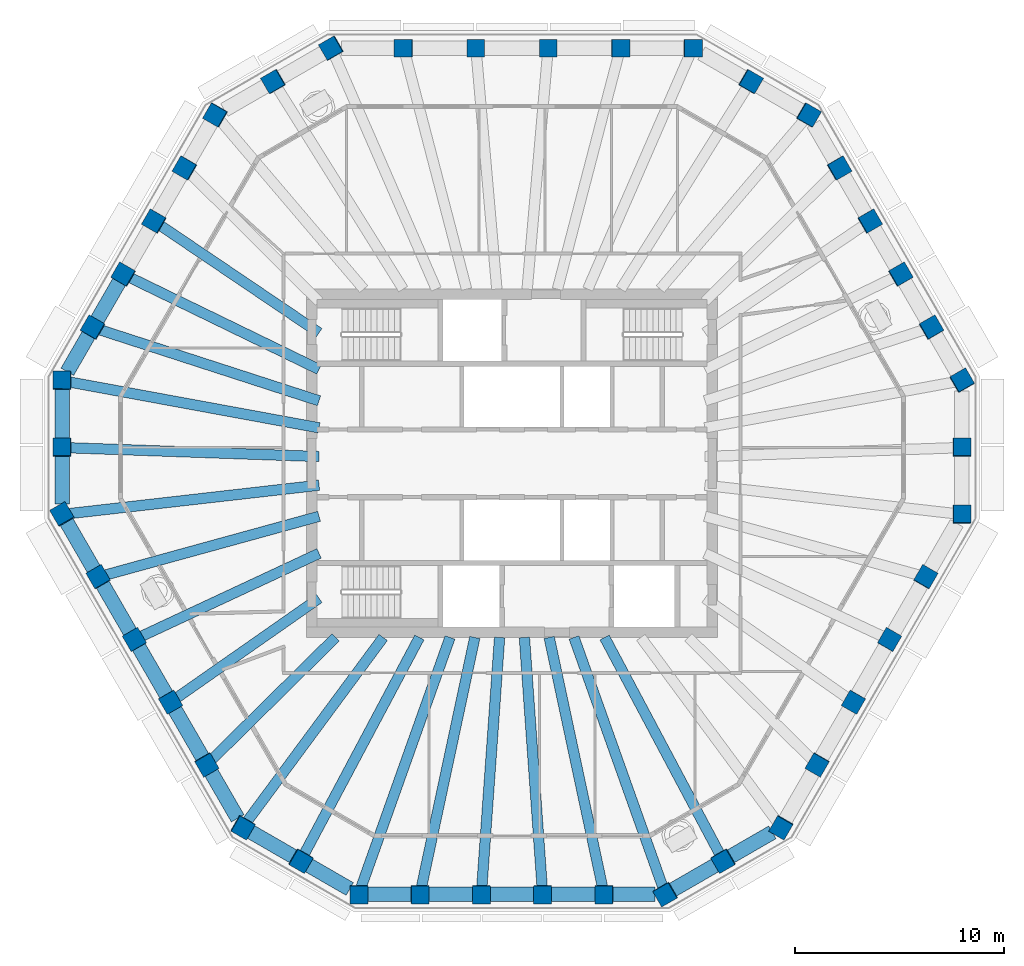
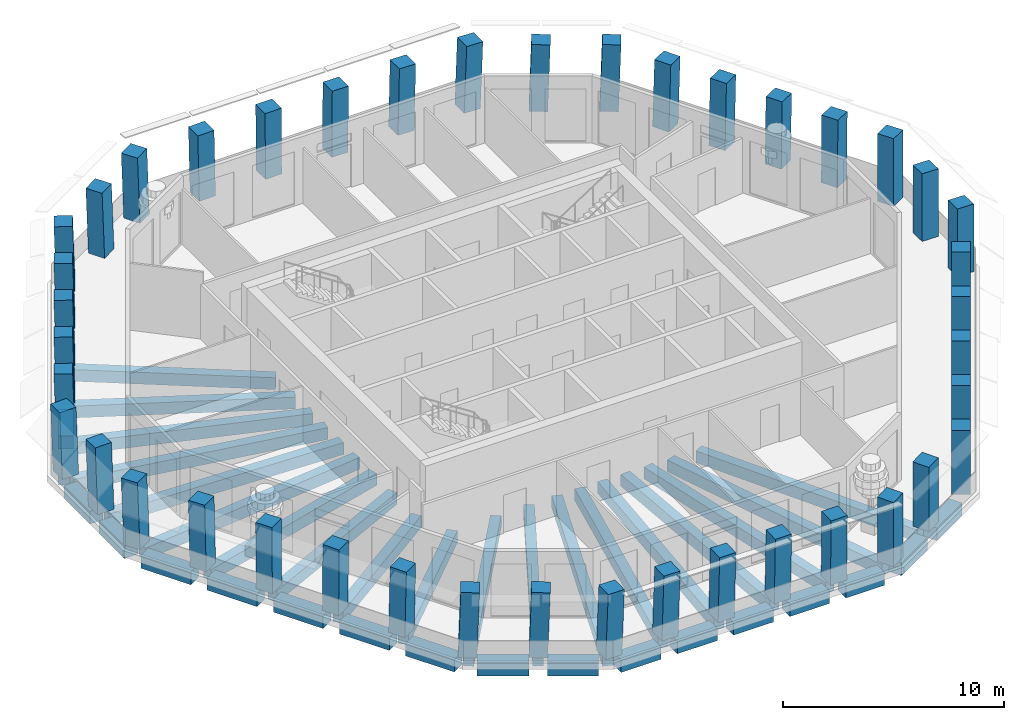
# One storey, part 1 of 11: 42 columns, 37 beams.
"""IFC4 building model written with IfcOpenShell, lengths in metres."""

from ifc_helpers import new_model, si_unit, direction, frame, origin, origin_2d, place, context, subcontext, project, spatial, rectangle, extrude, material, material_profile, profile_set, type_object, element, save


model = new_model("IFC4")

# Units and contexts
model_context = context("Model", 3, precision=1e-05, world=origin(), true_north=direction((0.0, 1.0)))
body_context = subcontext(model_context, "Body", "Model", "MODEL_VIEW")
ifc_project = project(units=[si_unit("LENGTHUNIT", "METRE"), si_unit("AREAUNIT", "SQUARE_METRE"), si_unit("VOLUMEUNIT", "CUBIC_METRE"), si_unit("PLANEANGLEUNIT", "RADIAN"), si_unit("MASSUNIT", "GRAM", prefix="KILO")], contexts=[model_context])

# Site, building, storey
site_placement = place(None, origin())
site = spatial("IfcSite", under=ifc_project, at=site_placement, CompositionType="ELEMENT")
building_placement = place(site_placement, origin())
building = spatial("IfcBuilding", under=site, at=building_placement, Name="Frailejon Research Tower", CompositionType="ELEMENT")
storey_placement = place(building_placement, frame((0.0, 0.0, 332.60009765625)))
storey = spatial("IfcBuildingStorey", under=building, at=storey_placement, Name="L74", CompositionType="ELEMENT", Elevation=332.60009765625)

# Columns
ifc_material_1 = material(Name="Concrete C50/60", Category="concrete")
ifc_material_profile_1 = material_profile(ifc_material_1, rectangle(XDim=0.85009765625, YDim=0.85009765625, at=origin_2d()), Name="Column 850")
ifc_profile_set_1 = profile_set([ifc_material_profile_1], Name="Concrete C50/60")
column_type = type_object("IfcColumnType", Name="Column 850", PredefinedType="COLUMN", material=ifc_profile_set_1)
for number, where, z_axis, x_axis, name in (
    (1, (21.56298828125, -2.451904296875, 0.0), (0.018115165867, 0.031417446337, 0.999342176049), (-0.000700571395, 0.999506341588, -0.031409908073), "Column C01"),
    (2, (21.56298828125, 0.754150390625, 0.0), (0.018115165867, 0.031417446337, 0.999342176049), (-0.000700571395, 0.999506341588, -0.031409908073), "Column C02"),
    (3, (21.56298828125, 3.960205078125, 0.0), (0.018115165867, 0.031417446337, 0.999342176049), (-0.500524543364, 0.865532325635, -0.018137661659), "Column C03"),
):
    element("IfcColumn", number, at=place(storey_placement, frame(where, z_axis=z_axis, x_axis=x_axis)), inside=storey, type_object=column_type, Name=name, PredefinedType="COLUMN", context=body_context, shape_type="SweptSolid", body=[
        extrude(rectangle(XDim=0.85009765625, YDim=0.85009765625, at=origin_2d()), origin(), (0.0, 0.0, 1.0), 3.65234375),
    ])
column_1_placement = place(storey_placement, frame((20.092529296875, 6.507080078125, 0.0), z_axis=(0.021793949015, 0.025136579231, 0.999446434868), x_axis=(-0.499665408411, 0.866150057728, -0.010888394553)))
element("IfcColumn", 4, at=column_1_placement, inside=storey, type_object=column_type, Name="Column C04", PredefinedType="COLUMN", context=body_context, shape_type="SweptSolid", body=[
    extrude(rectangle(XDim=0.85009765625, YDim=0.85009765625, at=origin_2d()), origin(), (0.0, 0.0, 1.0), 3.65185546875),
])
for number, where, z_axis, x_axis, name in (
    (5, (18.622314453125, 9.0537109375, 0.0), (0.025405336763, 0.018853434124, 0.999499433159), (-0.500083894321, 0.865969380989, -0.003623510742), "Column C05"),
    (6, (17.15185546875, 11.6005859375, 0.0), (0.029015583354, 0.012568962375, 0.99949993352), (-0.499848966802, 0.86610502362, 0.003619177736), "Column C06"),
):
    element("IfcColumn", number, at=place(storey_placement, frame(where, z_axis=z_axis, x_axis=x_axis)), inside=storey, type_object=column_type, Name=name, PredefinedType="COLUMN", context=body_context, shape_type="SweptSolid", body=[
        extrude(rectangle(XDim=0.85009765625, YDim=0.85009765625, at=origin_2d()), origin(), (0.0, 0.0, 1.0), 3.651611328125),
    ])
column_2_placement = place(storey_placement, frame((15.681640625, 14.147216796875, 0.0), z_axis=(0.032624119908, 0.006284154245, 0.999447935715), x_axis=(-0.500036299202, 0.865936128062, 0.010877573109)))
element("IfcColumn", 7, at=column_2_placement, inside=storey, type_object=column_type, Name="Column C07", PredefinedType="COLUMN", context=body_context, shape_type="SweptSolid", body=[
    extrude(rectangle(XDim=0.85009765625, YDim=0.85009765625, at=origin_2d()), origin(), (0.0, 0.0, 1.0), 3.65185546875),
])
for number, where, z_axis, x_axis, name in (
    (8, (14.211181640625, 16.69384765625, 0.0), (0.036297136169, 0.0, 0.99934104184), (-0.865312543657, 0.500246354177, 0.031429077673), "Column C08"),
    (9, (11.434814453125, 18.297119140625, 0.0), (0.036230378439, 0.0, 0.99934346432), (-0.865314641241, 0.500246354177, 0.031371273281), "Column C09"),
    (10, (8.658203125, 19.89990234375, 0.0), (0.036230378439, 0.0, 0.99934346432), (-0.99934346432, 0.0, 0.036230378439), "Column C10"),
):
    element("IfcColumn", number, at=place(storey_placement, frame(where, z_axis=z_axis, x_axis=x_axis)), inside=storey, type_object=column_type, Name=name, PredefinedType="COLUMN", context=body_context, shape_type="SweptSolid", body=[
        extrude(rectangle(XDim=0.85009765625, YDim=0.85009765625, at=origin_2d()), origin(), (0.0, 0.0, 1.0), 3.65234375),
    ])
column_3_placement = place(storey_placement, frame((5.19482421875, 19.89990234375, 0.0), z_axis=(0.021800837506, 0.0, 0.999762333499), x_axis=(-0.999762333499, 0.0, 0.021800837506)))
element("IfcColumn", 11, at=column_3_placement, inside=storey, type_object=column_type, Name="Column C11", PredefinedType="COLUMN", context=body_context, shape_type="SweptSolid", body=[
    extrude(rectangle(XDim=0.85009765625, YDim=0.85009765625, at=origin_2d()), origin(), (0.0, 0.0, 1.0), 3.65087890625),
])
for number, where, z_axis, x_axis, name in (
    (12, (1.731689453125, 19.89990234375, 0.0), (0.00729077612, 0.0, 0.999973421939), (-0.999973421939, 0.0, 0.00729077612), "Column C12"),
    (13, (-1.731689453125, 19.89990234375, 0.0), (-0.00729077612, 0.0, 0.999973421939), (-0.999973421939, 0.0, -0.00729077612), "Column C13"),
):
    element("IfcColumn", number, at=place(storey_placement, frame(where, z_axis=z_axis, x_axis=x_axis)), inside=storey, type_object=column_type, Name=name, PredefinedType="COLUMN", context=body_context, shape_type="SweptSolid", body=[
        extrude(rectangle(XDim=0.85009765625, YDim=0.85009765625, at=origin_2d()), origin(), (0.0, 0.0, 1.0), 3.64990234375),
    ])
column_4_placement = place(storey_placement, frame((-5.19482421875, 19.89990234375, 0.0), z_axis=(-0.021800837506, 0.0, 0.999762333499), x_axis=(-0.999762333499, 0.0, -0.021800837506)))
element("IfcColumn", 14, at=column_4_placement, inside=storey, type_object=column_type, Name="Column C14", PredefinedType="COLUMN", context=body_context, shape_type="SweptSolid", body=[
    extrude(rectangle(XDim=0.85009765625, YDim=0.85009765625, at=origin_2d()), origin(), (0.0, 0.0, 1.0), 3.65087890625),
])
for number, where, z_axis, x_axis, name in (
    (15, (-8.658203125, 19.89990234375, 0.0), (-0.036230378439, 0.0, 0.99934346432), (-0.865314641241, -0.500246354177, -0.031371273281), "Column C15"),
    (16, (-11.434814453125, 18.297119140625, 0.0), (-0.036230378439, 0.0, 0.99934346432), (-0.865314641241, -0.500246354177, -0.031371273281), "Column C16"),
    (17, (-14.211181640625, 16.69384765625, 0.0), (-0.036297136169, 0.0, 0.99934104184), (-0.49942428864, -0.866167613071, -0.018139624664), "Column C17"),
):
    element("IfcColumn", number, at=place(storey_placement, frame(where, z_axis=z_axis, x_axis=x_axis)), inside=storey, type_object=column_type, Name=name, PredefinedType="COLUMN", context=body_context, shape_type="SweptSolid", body=[
        extrude(rectangle(XDim=0.85009765625, YDim=0.85009765625, at=origin_2d()), origin(), (0.0, 0.0, 1.0), 3.65234375),
    ])
column_5_placement = place(storey_placement, frame((-15.681640625, 14.147216796875, 0.0), z_axis=(-0.032624119908, 0.006284154245, 0.999447935715), x_axis=(-0.500036299202, -0.865936128062, -0.010877573109)))
element("IfcColumn", 18, at=column_5_placement, inside=storey, type_object=column_type, Name="Column C18", PredefinedType="COLUMN", context=body_context, shape_type="SweptSolid", body=[
    extrude(rectangle(XDim=0.85009765625, YDim=0.85009765625, at=origin_2d()), origin(), (0.0, 0.0, 1.0), 3.65185546875),
])
for number, where, z_axis, x_axis, name in (
    (19, (-17.15185546875, 11.6005859375, 0.0), (-0.029015583354, 0.012568962375, 0.99949993352), (-0.499848966802, -0.86610502362, -0.003619177736), "Column C19"),
    (20, (-18.622314453125, 9.0537109375, 0.0), (-0.025405336763, 0.018853434124, 0.999499433159), (-0.500083894321, -0.865969380989, 0.003623510742), "Column C20"),
):
    element("IfcColumn", number, at=place(storey_placement, frame(where, z_axis=z_axis, x_axis=x_axis)), inside=storey, type_object=column_type, Name=name, PredefinedType="COLUMN", context=body_context, shape_type="SweptSolid", body=[
        extrude(rectangle(XDim=0.85009765625, YDim=0.85009765625, at=origin_2d()), origin(), (0.0, 0.0, 1.0), 3.651611328125),
    ])
column_6_placement = place(storey_placement, frame((-20.092529296875, 6.507080078125, 0.0), z_axis=(-0.021793949015, 0.025136579231, 0.999446434868), x_axis=(-0.499665408411, -0.866150057728, 0.010888394553)))
element("IfcColumn", 21, at=column_6_placement, inside=storey, type_object=column_type, Name="Column C21", PredefinedType="COLUMN", context=body_context, shape_type="SweptSolid", body=[
    extrude(rectangle(XDim=0.85009765625, YDim=0.85009765625, at=origin_2d()), origin(), (0.0, 0.0, 1.0), 3.65185546875),
])
for number, where, z_axis, x_axis, name in (
    (22, (-21.56298828125, 3.960205078125, 0.0), (-0.018115165867, 0.031417446337, 0.999342176049), (-0.000700571395, -0.999506341588, 0.031409908073), "Column C22"),
    (23, (-21.56298828125, 0.754150390625, 0.0), (-0.018115165867, 0.031417446337, 0.999342176049), (-0.000700571395, -0.999506341588, 0.031409908073), "Column C23"),
    (24, (-21.56298828125, -2.451904296875, 0.0), (-0.018115165867, 0.031417446337, 0.999342176049), (0.499559043097, -0.865520391176, 0.036265891942), "Column C24"),
):
    element("IfcColumn", number, at=place(storey_placement, frame(where, z_axis=z_axis, x_axis=x_axis)), inside=storey, type_object=column_type, Name=name, PredefinedType="COLUMN", context=body_context, shape_type="SweptSolid", body=[
        extrude(rectangle(XDim=0.85009765625, YDim=0.85009765625, at=origin_2d()), origin(), (0.0, 0.0, 1.0), 3.65234375),
    ])
column_7_placement = place(storey_placement, frame((-19.831298828125, -5.451171875, 0.0), z_axis=(-0.010900423214, 0.018858400897, 0.999762742599), x_axis=(0.499728924135, -0.865907930491, 0.021782063614)))
element("IfcColumn", 25, at=column_7_placement, inside=storey, type_object=column_type, Name="Column C25", PredefinedType="COLUMN", context=body_context, shape_type="SweptSolid", body=[
    extrude(rectangle(XDim=0.85009765625, YDim=0.85009765625, at=origin_2d()), origin(), (0.0, 0.0, 1.0), 3.65087890625),
])
for number, where, z_axis, x_axis, name in (
    (26, (-18.099609375, -8.450439453125, 0.0), (-0.003611945175, 0.00628746012, 0.999973710503), (0.499382072477, -0.866351526517, 0.007251081967), "Column C26"),
    (27, (-16.3681640625, -11.44970703125, 0.0), (0.003611945175, -0.00628746012, 0.999973710503), (0.499382072477, -0.866351526517, -0.007251081967), "Column C27"),
):
    element("IfcColumn", number, at=place(storey_placement, frame(where, z_axis=z_axis, x_axis=x_axis)), inside=storey, type_object=column_type, Name=name, PredefinedType="COLUMN", context=body_context, shape_type="SweptSolid", body=[
        extrude(rectangle(XDim=0.85009765625, YDim=0.85009765625, at=origin_2d()), origin(), (0.0, 0.0, 1.0), 3.64990234375),
    ])
column_8_placement = place(storey_placement, frame((-14.636474609375, -14.448974609375, 0.0), z_axis=(0.010900436936, -0.018791550792, 0.999764001199), x_axis=(0.501062877188, -0.865138168972, -0.021724219028)))
element("IfcColumn", 28, at=column_8_placement, inside=storey, type_object=column_type, Name="Column C28", PredefinedType="COLUMN", context=body_context, shape_type="SweptSolid", body=[
    extrude(rectangle(XDim=0.85009765625, YDim=0.85009765625, at=origin_2d()), origin(), (0.0, 0.0, 1.0), 3.65087890625),
])
for number, where, z_axis, x_axis, name in (
    (29, (-12.90478515625, -17.4482421875, 0.0), (0.018115165867, -0.031417446337, 0.999342176049), (0.865818316477, -0.499372659284, -0.031394107935), "Column C29"),
    (30, (-10.12841796875, -19.05126953125, 0.0), (0.01818198944, -0.031417408223, 0.999340963696), (0.866315547306, -0.498507056319, -0.031433855875), "Column C30"),
    (31, (-7.351806640625, -20.654296875, 0.0), (0.018115203871, -0.031350666477, 0.999344272561), (0.999835887043, 0.000763832147, -0.018100153051), "Column C31"),
):
    element("IfcColumn", number, at=place(storey_placement, frame(where, z_axis=z_axis, x_axis=x_axis)), inside=storey, type_object=column_type, Name=name, PredefinedType="COLUMN", context=body_context, shape_type="SweptSolid", body=[
        extrude(rectangle(XDim=0.85009765625, YDim=0.85009765625, at=origin_2d()), origin(), (0.0, 0.0, 1.0), 3.65234375),
    ])
column_9_placement = place(storey_placement, frame((-4.4111328125, -20.654296875, 0.0), z_axis=(0.010897001829, -0.031353950048, 0.999448940751), x_axis=(0.999940436127, 0.000957493921, -0.010872322839)))
element("IfcColumn", 32, at=column_9_placement, inside=storey, type_object=column_type, Name="Column C32", PredefinedType="COLUMN", context=body_context, shape_type="SweptSolid", body=[
    extrude(rectangle(XDim=0.85009765625, YDim=0.85009765625, at=origin_2d()), origin(), (0.0, 0.0, 1.0), 3.65185546875),
])
for number, where, z_axis, x_axis, name in (
    (33, (-1.470458984375, -20.654296875, 0.0), (0.003677095924, -0.031355599788, 0.999501528427), (0.999992627875, 0.001220728193, -0.00364060689), "Column C33"),
    (34, (1.470458984375, -20.654296875, 0.0), (-0.003677095924, -0.031355599788, 0.999501528427), (0.999992627875, -0.001220728193, 0.00364060689), "Column C34"),
):
    element("IfcColumn", number, at=place(storey_placement, frame(where, z_axis=z_axis, x_axis=x_axis)), inside=storey, type_object=column_type, Name=name, PredefinedType="COLUMN", context=body_context, shape_type="SweptSolid", body=[
        extrude(rectangle(XDim=0.85009765625, YDim=0.85009765625, at=origin_2d()), origin(), (0.0, 0.0, 1.0), 3.651611328125),
    ])
column_10_placement = place(storey_placement, frame((4.4111328125, -20.654296875, 0.0), z_axis=(-0.010897001829, -0.031353950048, 0.999448940751), x_axis=(0.999940436127, -0.000957493921, 0.010872322839)))
element("IfcColumn", 35, at=column_10_placement, inside=storey, type_object=column_type, Name="Column C35", PredefinedType="COLUMN", context=body_context, shape_type="SweptSolid", body=[
    extrude(rectangle(XDim=0.85009765625, YDim=0.85009765625, at=origin_2d()), origin(), (0.0, 0.0, 1.0), 3.65185546875),
])
for number, where, z_axis, x_axis, name in (
    (36, (7.351806640625, -20.654296875, 0.0), (-0.018115203871, -0.031350666477, 0.999344272561), (0.865981217505, 0.499092579547, 0.031354871555), "Column C36"),
    (37, (10.12841796875, -19.05126953125, 0.0), (-0.01818198944, -0.031417408223, 0.999340963696), (0.866315547306, 0.498507056319, 0.031433855875), "Column C37"),
    (38, (12.90478515625, -17.4482421875, 0.0), (-0.018115165867, -0.031417446337, 0.999342176049), (0.499559043097, 0.865520391176, 0.036265891942), "Column C38"),
):
    element("IfcColumn", number, at=place(storey_placement, frame(where, z_axis=z_axis, x_axis=x_axis)), inside=storey, type_object=column_type, Name=name, PredefinedType="COLUMN", context=body_context, shape_type="SweptSolid", body=[
        extrude(rectangle(XDim=0.85009765625, YDim=0.85009765625, at=origin_2d()), origin(), (0.0, 0.0, 1.0), 3.65234375),
    ])
column_11_placement = place(storey_placement, frame((14.636474609375, -14.448974609375, 0.0), z_axis=(-0.010900436936, -0.018791550792, 0.999764001199), x_axis=(0.501062877188, 0.865138168972, 0.021724219028)))
element("IfcColumn", 39, at=column_11_placement, inside=storey, type_object=column_type, Name="Column C39", PredefinedType="COLUMN", context=body_context, shape_type="SweptSolid", body=[
    extrude(rectangle(XDim=0.85009765625, YDim=0.85009765625, at=origin_2d()), origin(), (0.0, 0.0, 1.0), 3.65087890625),
])
for number, where, z_axis, x_axis, name in (
    (40, (16.3681640625, -11.44970703125, 0.0), (-0.003611945175, -0.00628746012, 0.999973710503), (0.499382072477, 0.866351526517, 0.007251081967), "Column C40"),
    (41, (18.099609375, -8.450439453125, 0.0), (0.003611945175, 0.00628746012, 0.999973710503), (0.499382072477, 0.866351526517, -0.007251081967), "Column C41"),
):
    element("IfcColumn", number, at=place(storey_placement, frame(where, z_axis=z_axis, x_axis=x_axis)), inside=storey, type_object=column_type, Name=name, PredefinedType="COLUMN", context=body_context, shape_type="SweptSolid", body=[
        extrude(rectangle(XDim=0.85009765625, YDim=0.85009765625, at=origin_2d()), origin(), (0.0, 0.0, 1.0), 3.64990234375),
    ])
column_12_placement = place(storey_placement, frame((19.831298828125, -5.451171875, 0.0), z_axis=(0.010900423214, 0.018858400897, 0.999762742599), x_axis=(0.499728924135, 0.865907930491, -0.021782063614)))
element("IfcColumn", 42, at=column_12_placement, inside=storey, type_object=column_type, Name="Column C42", PredefinedType="COLUMN", context=body_context, shape_type="SweptSolid", body=[
    extrude(rectangle(XDim=0.85009765625, YDim=0.85009765625, at=origin_2d()), origin(), (0.0, 0.0, 1.0), 3.65087890625),
])

# Beams
ifc_material_2 = material(Name="Concrete C60/75", Category="concrete")
ifc_material_profile_2 = material_profile(ifc_material_2, rectangle(XDim=0.5, YDim=0.64990234375, at=origin_2d()), Name="Girder 500x650")
ifc_profile_set_2 = profile_set([ifc_material_profile_2], Name="Concrete C60/75")
beam_type_1 = type_object("IfcBeamType", Name="Girder 500x650", PredefinedType="BEAM", material=ifc_profile_set_2)
beam_1_placement = place(storey_placement, frame((-16.923095703125, 11.44580078125, -0.625), z_axis=(0.828329818022, -0.560240763044, 0.0), x_axis=(0.560240763044, 0.828329818022, 0.0)))
element("IfcBeam", 43, at=beam_1_placement, inside=storey, type_object=beam_type_1, Name="Girder 500x650", PredefinedType="BEAM", context=body_context, shape_type="SweptSolid", body=[
    extrude(rectangle(XDim=0.5, YDim=0.64990234375, at=origin_2d()), origin(), (0.0, 0.0, 1.0), 9.263427734375),
])
beam_2_placement = place(storey_placement, frame((-18.3740234375, 8.93310546875, -0.625), z_axis=(0.899348403181, -0.437232718008, 0.0), x_axis=(0.437232718008, 0.899348403181, 0.0)))
element("IfcBeam", 44, at=beam_2_placement, inside=storey, type_object=beam_type_1, Name="Girder 500x650", PredefinedType="BEAM", context=body_context, shape_type="SweptSolid", body=[
    extrude(rectangle(XDim=0.5, YDim=0.64990234375, at=origin_2d()), origin(), (0.0, 0.0, 1.0), 10.145263671875),
])
beam_3_placement = place(storey_placement, frame((-19.822021484375, 6.419189453125, -0.625), z_axis=(0.951359510506, -0.30808291379, 0.0), x_axis=(0.30808291379, 0.951359510506, 0.0)))
element("IfcBeam", 45, at=beam_3_placement, inside=storey, type_object=beam_type_1, Name="Girder 500x650", PredefinedType="BEAM", context=body_context, shape_type="SweptSolid", body=[
    extrude(rectangle(XDim=0.5, YDim=0.64990234375, at=origin_2d()), origin(), (0.0, 0.0, 1.0), 11.112548828125),
])
beam_4_placement = place(storey_placement, frame((-21.285400390625, 3.9091796875, -0.625), z_axis=(0.983552664115, -0.180621584848, 0.0), x_axis=(0.180621584848, 0.983552664115, 0.0)))
element("IfcBeam", 46, at=beam_4_placement, inside=storey, type_object=beam_type_1, Name="Girder 500x650", PredefinedType="BEAM", context=body_context, shape_type="SweptSolid", body=[
    extrude(rectangle(XDim=0.5, YDim=0.64990234375, at=origin_2d()), origin(), (0.0, 0.0, 1.0), 12.236572265625),
])
beam_5_placement = place(storey_placement, frame((-21.287841796875, 0.74462890625, -0.625), z_axis=(0.999388589906, -0.034963500468, 0.0), x_axis=(0.034963500468, 0.999388589906, 0.0)))
element("IfcBeam", 47, at=beam_5_placement, inside=storey, type_object=beam_type_1, Name="Girder 500x650", PredefinedType="BEAM", context=body_context, shape_type="SweptSolid", body=[
    extrude(rectangle(XDim=0.5, YDim=0.64990234375, at=origin_2d()), origin(), (0.0, 0.0, 1.0), 12.045166015625),
])
beam_6_placement = place(storey_placement, frame((-21.25146484375, -2.41650390625, -0.625), z_axis=(0.993596490728, 0.112986785125, 0.0), x_axis=(-0.112986785125, 0.993596490728, 0.0)))
element("IfcBeam", 48, at=beam_6_placement, inside=storey, type_object=beam_type_1, Name="Girder 500x650", PredefinedType="BEAM", context=body_context, shape_type="SweptSolid", body=[
    extrude(rectangle(XDim=0.5, YDim=0.64990234375, at=origin_2d()), origin(), (0.0, 0.0, 1.0), 12.078857421875),
])
beam_7_placement = place(storey_placement, frame((-19.552490234375, -5.37451171875, -0.625), z_axis=(0.964232990399, 0.265056107695, 0.0), x_axis=(-0.265056107695, 0.964232990399, 0.0)))
element("IfcBeam", 49, at=beam_7_placement, inside=storey, type_object=beam_type_1, Name="Girder 500x650", PredefinedType="BEAM", context=body_context, shape_type="SweptSolid", body=[
    extrude(rectangle(XDim=0.5, YDim=0.64990234375, at=origin_2d()), origin(), (0.0, 0.0, 1.0), 10.6845703125),
])
beam_8_placement = place(storey_placement, frame((-17.84912109375, -8.33349609375, -0.625), z_axis=(0.906103600252, 0.423055865827, 0.0), x_axis=(-0.423055865827, 0.906103600252, 0.0)))
element("IfcBeam", 50, at=beam_8_placement, inside=storey, type_object=beam_type_1, Name="Girder 500x650", PredefinedType="BEAM", context=body_context, shape_type="SweptSolid", body=[
    extrude(rectangle(XDim=0.5, YDim=0.64990234375, at=origin_2d()), origin(), (0.0, 0.0, 1.0), 9.490234375),
])
beam_9_placement = place(storey_placement, frame((-16.141357421875, -11.291015625, -0.625), z_axis=(0.819421445567, 0.573191499016, 0.0), x_axis=(-0.573191499016, 0.819421445567, 0.0)))
element("IfcBeam", 51, at=beam_9_placement, inside=storey, type_object=beam_type_1, Name="Girder 500x650", PredefinedType="BEAM", context=body_context, shape_type="SweptSolid", body=[
    extrude(rectangle(XDim=0.5, YDim=0.64990234375, at=origin_2d()), origin(), (0.0, 0.0, 1.0), 8.409912109375),
])
beam_10_placement = place(storey_placement, frame((-14.4306640625, -14.24560546875, -0.625), z_axis=(0.711659544092, 0.702524514379, 0.0), x_axis=(-0.702524514379, 0.711659544092, 0.0)))
element("IfcBeam", 52, at=beam_10_placement, inside=storey, type_object=beam_type_1, Name="Girder 500x650", PredefinedType="BEAM", context=body_context, shape_type="SweptSolid", body=[
    extrude(rectangle(XDim=0.5, YDim=0.64990234375, at=origin_2d()), origin(), (0.0, 0.0, 1.0), 8.391845703125),
])
beam_11_placement = place(storey_placement, frame((-12.739501953125, -17.224853515625, -0.625), z_axis=(0.594632327333, 0.803997758262, 0.0), x_axis=(-0.803997758262, 0.594632327333, 0.0)))
element("IfcBeam", 53, at=beam_11_placement, inside=storey, type_object=beam_type_1, Name="Girder 500x650", PredefinedType="BEAM", context=body_context, shape_type="SweptSolid", body=[
    extrude(rectangle(XDim=0.5, YDim=0.64990234375, at=origin_2d()), origin(), (0.0, 0.0, 1.0), 11.038330078125),
])
beam_12_placement = place(storey_placement, frame((-9.9990234375, -18.80810546875, -0.625), z_axis=(0.469418447885, 0.882975832503, 0.0), x_axis=(-0.882975832503, 0.469418447885, 0.0)))
element("IfcBeam", 54, at=beam_12_placement, inside=storey, type_object=beam_type_1, Name="Girder 500x650", PredefinedType="BEAM", context=body_context, shape_type="SweptSolid", body=[
    extrude(rectangle(XDim=0.5, YDim=0.64990234375, at=origin_2d()), origin(), (0.0, 0.0, 1.0), 11.843994140625),
])
beam_13_placement = place(storey_placement, frame((-7.250732421875, -20.37060546875, -0.625), z_axis=(0.33533013458, 0.942100685088, 0.0), x_axis=(-0.942100685088, 0.33533013458, 0.0)))
element("IfcBeam", 55, at=beam_13_placement, inside=storey, type_object=beam_type_1, Name="Girder 500x650", PredefinedType="BEAM", context=body_context, shape_type="SweptSolid", body=[
    extrude(rectangle(XDim=0.5, YDim=0.64990234375, at=origin_2d()), origin(), (0.0, 0.0, 1.0), 12.75927734375),
])
beam_14_placement = place(storey_placement, frame((-4.351806640625, -20.3759765625, -0.625), z_axis=(0.208878236268, 0.977941655935, 0.0), x_axis=(-0.977941655935, 0.208878236268, 0.0)))
element("IfcBeam", 56, at=beam_14_placement, inside=storey, type_object=beam_type_1, Name="Girder 500x650", PredefinedType="BEAM", context=body_context, shape_type="SweptSolid", body=[
    extrude(rectangle(XDim=0.5, YDim=0.64990234375, at=origin_2d()), origin(), (0.0, 0.0, 1.0), 12.297119140625),
])
for number, where, z_axis, x_axis, name in (
    (57, (-1.45068359375, -20.37890625, -0.625), (0.070999584781, 0.997476345063, 0.0), (-0.997476345063, 0.070999584781, 0.0), "Girder 500x650"),
    (58, (1.45068359375, -20.37890625, -0.625), (-0.070999584781, 0.997476345063, 0.0), (-0.997476345063, -0.070999584781, 0.0), "Girder 500x650"),
):
    element("IfcBeam", number, at=place(storey_placement, frame(where, z_axis=z_axis, x_axis=x_axis)), inside=storey, type_object=beam_type_1, Name=name, PredefinedType="BEAM", context=body_context, shape_type="SweptSolid", body=[
        extrude(rectangle(XDim=0.5, YDim=0.64990234375, at=origin_2d()), origin(), (0.0, 0.0, 1.0), 12.059326171875),
    ])
beam_15_placement = place(storey_placement, frame((4.351806640625, -20.3759765625, -0.625), z_axis=(-0.208878236268, 0.977941655935, 0.0), x_axis=(-0.977941655935, -0.208878236268, 0.0)))
element("IfcBeam", 59, at=beam_15_placement, inside=storey, type_object=beam_type_1, Name="Girder 500x650", PredefinedType="BEAM", context=body_context, shape_type="SweptSolid", body=[
    extrude(rectangle(XDim=0.5, YDim=0.64990234375, at=origin_2d()), origin(), (0.0, 0.0, 1.0), 12.297119140625),
])
beam_16_placement = place(storey_placement, frame((7.257080078125, -20.388427734375, -0.625), z_axis=(-0.335330413901, 0.942100585666, 0.0), x_axis=(-0.942100585666, -0.335330413901, 0.0)))
element("IfcBeam", 60, at=beam_16_placement, inside=storey, type_object=beam_type_1, Name="Girder 500x650", PredefinedType="BEAM", context=body_context, shape_type="SweptSolid", body=[
    extrude(rectangle(XDim=0.5, YDim=0.64990234375, at=origin_2d()), origin(), (0.0, 0.0, 1.0), 12.778076171875),
])
beam_17_placement = place(storey_placement, frame((9.9990234375, -18.80810546875, -0.625), z_axis=(-0.469418447885, 0.882975832503, 0.0), x_axis=(-0.882975832503, -0.469418447885, 0.0)))
element("IfcBeam", 61, at=beam_17_placement, inside=storey, type_object=beam_type_1, Name="Girder 500x650", PredefinedType="BEAM", context=body_context, shape_type="SweptSolid", body=[
    extrude(rectangle(XDim=0.5, YDim=0.64990234375, at=origin_2d()), origin(), (0.0, 0.0, 1.0), 11.843994140625),
])
ifc_material_3 = material(Name="Concrete C60/75", Category="concrete")
ifc_material_profile_3 = material_profile(ifc_material_3, rectangle(XDim=0.699951171875, YDim=0.699951171875, at=origin_2d()), Name="Spandrel 700x700")
ifc_profile_set_3 = profile_set([ifc_material_profile_3], Name="Concrete C60/75")
beam_type_2 = type_object("IfcBeamType", Name="Spandrel 700x700", PredefinedType="BEAM", material=ifc_profile_set_3)
beam_18_placement = place(storey_placement, frame((-18.834716796875, 8.685791015625, -0.7001953125), z_axis=(-0.499981877015, -0.866035866842, 0.0), x_axis=(0.866035866842, -0.499981877015, 0.0)))
element("IfcBeam", 62, at=beam_18_placement, inside=storey, type_object=beam_type_2, Name="Spandrel 700x700", PredefinedType="BEAM", context=body_context, shape_type="SweptSolid", body=[
    extrude(rectangle(XDim=0.699951171875, YDim=0.699951171875, at=origin_2d()), origin(), (0.0, 0.0, 1.0), 2.0908203125),
])
beam_19_placement = place(storey_placement, frame((-20.30517578125, 6.138916015625, -0.7001953125), z_axis=(-0.499990325971, -0.866030989016, 0.0), x_axis=(0.866030989016, -0.499990325971, 0.0)))
element("IfcBeam", 63, at=beam_19_placement, inside=storey, type_object=beam_type_2, Name="Spandrel 700x700", PredefinedType="BEAM", context=body_context, shape_type="SweptSolid", body=[
    extrude(rectangle(XDim=0.699951171875, YDim=0.699951171875, at=origin_2d()), origin(), (0.0, 0.0, 1.0), 2.02490234375),
])
beam_20_placement = place(storey_placement, frame((-21.56298828125, 3.535400390625, -0.7001953125), z_axis=(0.0, -1.0, 0.0), x_axis=(1.0, 0.0, 0.0)))
element("IfcBeam", 64, at=beam_20_placement, inside=storey, type_object=beam_type_2, Name="Spandrel 700x700", PredefinedType="BEAM", context=body_context, shape_type="SweptSolid", body=[
    extrude(rectangle(XDim=0.699951171875, YDim=0.699951171875, at=origin_2d()), origin(), (0.0, 0.0, 1.0), 2.356201171875),
])
beam_21_placement = place(storey_placement, frame((-21.56298828125, 0.3291015625, -0.7001953125), z_axis=(0.0, -1.0, 0.0), x_axis=(1.0, 0.0, 0.0)))
element("IfcBeam", 65, at=beam_21_placement, inside=storey, type_object=beam_type_2, Name="Spandrel 700x700", PredefinedType="BEAM", context=body_context, shape_type="SweptSolid", body=[
    extrude(rectangle(XDim=0.699951171875, YDim=0.699951171875, at=origin_2d()), origin(), (0.0, 0.0, 1.0), 2.290283203125),
])
beam_22_placement = place(storey_placement, frame((-21.3505859375, -2.81982421875, -0.7001953125), z_axis=(0.50006747008, -0.865986446411, 0.0), x_axis=(0.865986446411, 0.50006747008, 0.0)))
element("IfcBeam", 66, at=beam_22_placement, inside=storey, type_object=beam_type_2, Name="Spandrel 700x700", PredefinedType="BEAM", context=body_context, shape_type="SweptSolid", body=[
    extrude(rectangle(XDim=0.699951171875, YDim=0.699951171875, at=origin_2d()), origin(), (0.0, 0.0, 1.0), 2.613525390625),
])
beam_23_placement = place(storey_placement, frame((-19.618896484375, -5.819091796875, -0.7001953125), z_axis=(0.499997407846, -0.86602690036, 0.0), x_axis=(0.86602690036, 0.499997407846, 0.0)))
element("IfcBeam", 67, at=beam_23_placement, inside=storey, type_object=beam_type_2, Name="Spandrel 700x700", PredefinedType="BEAM", context=body_context, shape_type="SweptSolid", body=[
    extrude(rectangle(XDim=0.699951171875, YDim=0.699951171875, at=origin_2d()), origin(), (0.0, 0.0, 1.0), 2.61328125),
])
beam_24_placement = place(storey_placement, frame((-17.88720703125, -8.818603515625, -0.7001953125), z_axis=(0.500037863578, -0.866003542134, 0.0), x_axis=(0.866003542134, 0.500037863578, 0.0)))
element("IfcBeam", 68, at=beam_24_placement, inside=storey, type_object=beam_type_2, Name="Spandrel 700x700", PredefinedType="BEAM", context=body_context, shape_type="SweptSolid", body=[
    extrude(rectangle(XDim=0.699951171875, YDim=0.699951171875, at=origin_2d()), origin(), (0.0, 0.0, 1.0), 2.613037109375),
])
beam_25_placement = place(storey_placement, frame((-16.155517578125, -11.817626953125, -0.7001953125), z_axis=(0.499927335793, -0.86606735242, 0.0), x_axis=(0.86606735242, 0.499927335793, 0.0)))
element("IfcBeam", 69, at=beam_25_placement, inside=storey, type_object=beam_type_2, Name="Spandrel 700x700", PredefinedType="BEAM", context=body_context, shape_type="SweptSolid", body=[
    extrude(rectangle(XDim=0.699951171875, YDim=0.699951171875, at=origin_2d()), origin(), (0.0, 0.0, 1.0), 2.61328125),
])
beam_26_placement = place(storey_placement, frame((-14.424072265625, -14.81689453125, -0.7001953125), z_axis=(0.500034901704, -0.866005252338, 0.0), x_axis=(0.866005252338, 0.500034901704, 0.0)))
element("IfcBeam", 70, at=beam_26_placement, inside=storey, type_object=beam_type_2, Name="Spandrel 700x700", PredefinedType="BEAM", context=body_context, shape_type="SweptSolid", body=[
    extrude(rectangle(XDim=0.699951171875, YDim=0.699951171875, at=origin_2d()), origin(), (0.0, 0.0, 1.0), 2.547607421875),
])
beam_27_placement = place(storey_placement, frame((-12.53662109375, -17.66064453125, -0.7001953125), z_axis=(0.866021643438, -0.500006513054, 0.0), x_axis=(0.500006513054, 0.866021643438, 0.0)))
element("IfcBeam", 71, at=beam_27_placement, inside=storey, type_object=beam_type_2, Name="Spandrel 700x700", PredefinedType="BEAM", context=body_context, shape_type="SweptSolid", body=[
    extrude(rectangle(XDim=0.699951171875, YDim=0.699951171875, at=origin_2d()), origin(), (0.0, 0.0, 1.0), 2.35595703125),
])
beam_28_placement = place(storey_placement, frame((-9.76025390625, -19.263671875, -0.7001953125), z_axis=(0.866043571379, -0.499968531483, 0.0), x_axis=(0.499968531483, 0.866043571379, 0.0)))
element("IfcBeam", 72, at=beam_28_placement, inside=storey, type_object=beam_type_2, Name="Spandrel 700x700", PredefinedType="BEAM", context=body_context, shape_type="SweptSolid", body=[
    extrude(rectangle(XDim=0.699951171875, YDim=0.699951171875, at=origin_2d()), origin(), (0.0, 0.0, 1.0), 2.290283203125),
])
for number, where, z_axis, x_axis, name in (
    (73, (-6.9267578125, -20.654296875, -0.7001953125), (1.0, 0.0, 0.0), (0.0, 1.0, 0.0), "Spandrel 700x700"),
    (74, (-3.986083984375, -20.654296875, -0.7001953125), (1.0, 0.0, 0.0), (0.0, 1.0, 0.0), "Spandrel 700x700"),
):
    element("IfcBeam", number, at=place(storey_placement, frame(where, z_axis=z_axis, x_axis=x_axis)), inside=storey, type_object=beam_type_2, Name=name, PredefinedType="BEAM", context=body_context, shape_type="SweptSolid", body=[
        extrude(rectangle(XDim=0.699951171875, YDim=0.699951171875, at=origin_2d()), origin(), (0.0, 0.0, 1.0), 2.090576171875),
    ])
beam_29_placement = place(storey_placement, frame((-1.04541015625, -20.654296875, -0.7001953125), z_axis=(1.0, 0.0, 0.0), x_axis=(0.0, 1.0, 0.0)))
element("IfcBeam", 75, at=beam_29_placement, inside=storey, type_object=beam_type_2, Name="Spandrel 700x700", PredefinedType="BEAM", context=body_context, shape_type="SweptSolid", body=[
    extrude(rectangle(XDim=0.699951171875, YDim=0.699951171875, at=origin_2d()), origin(), (0.0, 0.0, 1.0), 2.0908203125),
])
beam_30_placement = place(storey_placement, frame((1.8955078125, -20.654296875, -0.7001953125), z_axis=(1.0, 0.0, 0.0), x_axis=(0.0, 1.0, 0.0)))
element("IfcBeam", 76, at=beam_30_placement, inside=storey, type_object=beam_type_2, Name="Spandrel 700x700", PredefinedType="BEAM", context=body_context, shape_type="SweptSolid", body=[
    extrude(rectangle(XDim=0.699951171875, YDim=0.699951171875, at=origin_2d()), origin(), (0.0, 0.0, 1.0), 2.090576171875),
])
beam_31_placement = place(storey_placement, frame((4.836181640625, -20.654296875, -0.7001953125), z_axis=(1.0, 0.0, 0.0), x_axis=(0.0, 1.0, 0.0)))
element("IfcBeam", 77, at=beam_31_placement, inside=storey, type_object=beam_type_2, Name="Spandrel 700x700", PredefinedType="BEAM", context=body_context, shape_type="SweptSolid", body=[
    extrude(rectangle(XDim=0.699951171875, YDim=0.699951171875, at=origin_2d()), origin(), (0.0, 0.0, 1.0), 2.02490234375),
])
beam_32_placement = place(storey_placement, frame((7.719970703125, -20.441650390625, -0.7001953125), z_axis=(0.866021643438, 0.500006513054, 0.0), x_axis=(-0.500006513054, 0.866021643438, 0.0)))
element("IfcBeam", 78, at=beam_32_placement, inside=storey, type_object=beam_type_2, Name="Spandrel 700x700", PredefinedType="BEAM", context=body_context, shape_type="SweptSolid", body=[
    extrude(rectangle(XDim=0.699951171875, YDim=0.699951171875, at=origin_2d()), origin(), (0.0, 0.0, 1.0), 2.35595703125),
])
beam_33_placement = place(storey_placement, frame((10.496337890625, -18.838623046875, -0.7001953125), z_axis=(0.866043571379, 0.499968531483, 0.0), x_axis=(-0.499968531483, 0.866043571379, 0.0)))
element("IfcBeam", 79, at=beam_33_placement, inside=storey, type_object=beam_type_2, Name="Spandrel 700x700", PredefinedType="BEAM", context=body_context, shape_type="SweptSolid", body=[
    extrude(rectangle(XDim=0.699951171875, YDim=0.699951171875, at=origin_2d()), origin(), (0.0, 0.0, 1.0), 2.290283203125),
])

save(model, "model.ifc")
